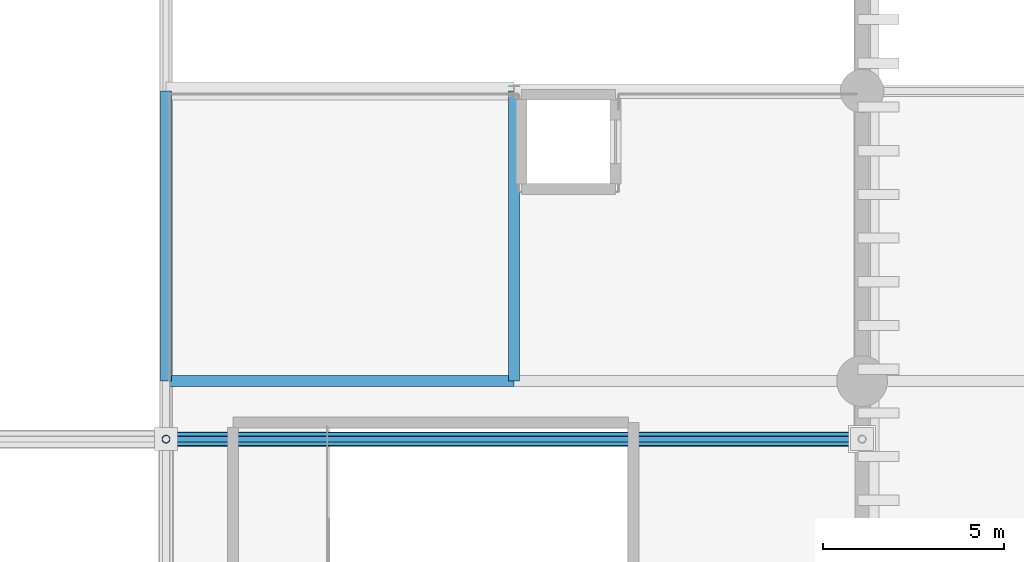
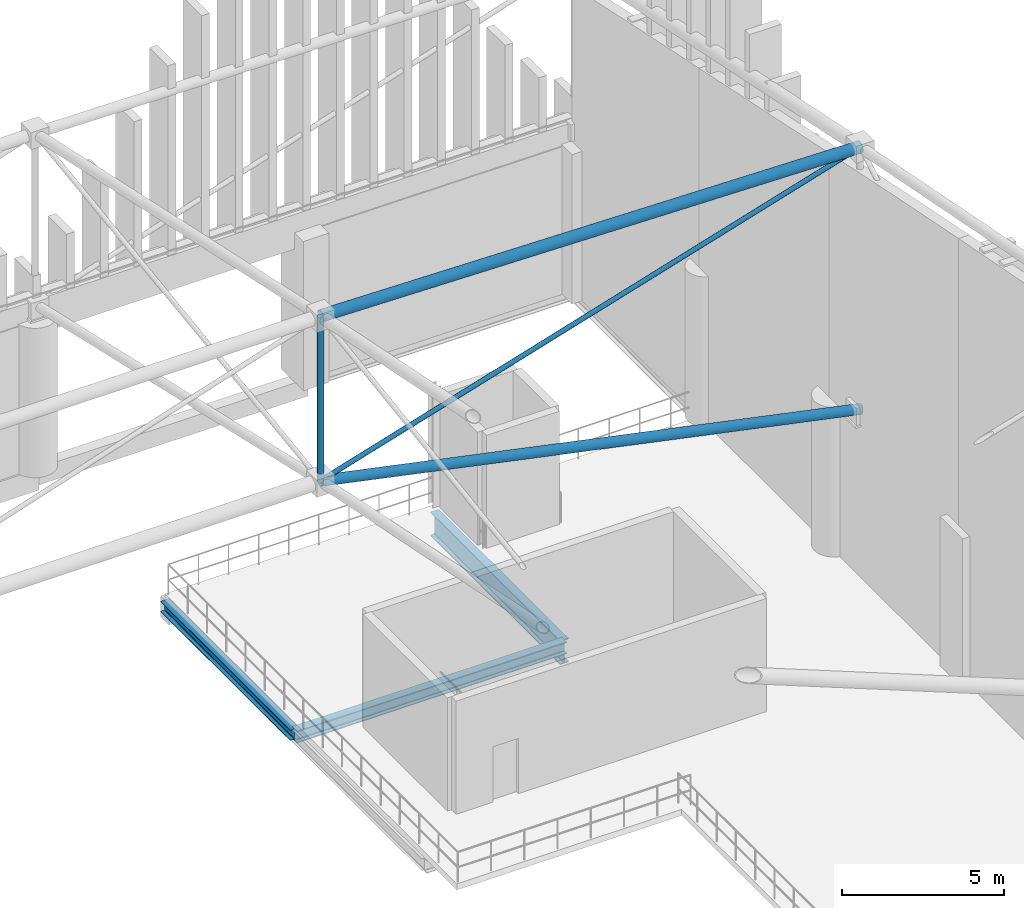
# One storey, part 132 of 193: 4 members, 3 beams.
"""IFC4 building model written with IfcOpenShell, lengths in metres."""

from ifc_helpers import new_model, si_unit, direction, frame, origin, origin_2d, place, context, subcontext, project, spatial, hollow_circle, i_section, extrude, material, material_profile, profile_set, type_object, element, save


model = new_model("IFC4")

# Units and contexts
model_context = context("Model", 3, precision=1e-05, world=origin(), true_north=direction((0.0, 1.0)))
body_context = subcontext(model_context, "Body", "Model", "MODEL_VIEW")
ifc_project = project(units=[si_unit("LENGTHUNIT", "METRE"), si_unit("AREAUNIT", "SQUARE_METRE"), si_unit("VOLUMEUNIT", "CUBIC_METRE"), si_unit("PLANEANGLEUNIT", "RADIAN"), si_unit("MASSUNIT", "GRAM", prefix="KILO")], contexts=[model_context])

# Site, building, storey
site_placement = place(None, origin())
site = spatial("IfcSite", under=ifc_project, at=site_placement, CompositionType="ELEMENT")
building_placement = place(site_placement, origin())
building = spatial("IfcBuilding", under=site, at=building_placement, Name="Danafjord Basin Convention Centre", CompositionType="ELEMENT")
storey_placement = place(building_placement, frame((0.0, 0.0, 11.39990234375)))
storey = spatial("IfcBuildingStorey", under=building, at=storey_placement, Name="L02", CompositionType="ELEMENT", Elevation=11.39990234375)

# Beams
ifc_material = material(Name="Steel S355", Category="steel")
ifc_material_profile_1 = material_profile(ifc_material, i_section(OverallWidth=0.300048828125, OverallDepth=0.449951171875, WebThickness=0.013916015625, FlangeThickness=0.02587890625, FilletRadius=0.027099609375, at=origin_2d()), Name="HEB 450")
ifc_profile_set_1 = profile_set([ifc_material_profile_1], Name="Steel S355")
beam_type_1 = type_object("IfcBeamType", Name="BEAM-BM-HEB450", PredefinedType="BEAM", material=ifc_profile_set_1)
beam_1_placement = place(storey_placement, frame((96.0, 128.0, -0.454833984375), z_axis=(1.0, 0.0, 0.0), x_axis=(0.0, 1.0, 0.0)))
element("IfcBeam", 1, at=beam_1_placement, inside=storey, type_object=beam_type_1, Name="L02 girder BM-HEB450", PredefinedType="BEAM", context=body_context, shape_type="SweptSolid", body=[
    extrude(i_section(OverallWidth=0.300048828125, OverallDepth=0.449951171875, WebThickness=0.013916015625, FlangeThickness=0.02587890625, FilletRadius=0.027099609375, at=origin_2d()), origin(), (0.0, 0.0, 1.0), 9.60009765625),
])
ifc_material_profile_2 = material_profile(ifc_material, i_section(OverallWidth=0.300048828125, OverallDepth=0.89990234375, WebThickness=0.0185546875, FlangeThickness=0.034912109375, FilletRadius=0.030029296875, at=origin_2d()), Name="HEB 900")
ifc_profile_set_2 = profile_set([ifc_material_profile_2], Name="Steel S355")
beam_type_2 = type_object("IfcBeamType", Name="BEAM-BM-HEB900", PredefinedType="BEAM", material=ifc_profile_set_2)
beam_2_placement = place(storey_placement, frame((105.60009765625, 128.0, -0.679931640625), z_axis=(0.0, 1.0, 0.0), x_axis=(-1.0, 0.0, 0.0)))
element("IfcBeam", 2, at=beam_2_placement, inside=storey, type_object=beam_type_2, Name="L02 transverse girder BM-HEB900", PredefinedType="BEAM", context=body_context, shape_type="SweptSolid", body=[
    extrude(i_section(OverallWidth=0.300048828125, OverallDepth=0.89990234375, WebThickness=0.0185546875, FlangeThickness=0.034912109375, FilletRadius=0.030029296875, at=origin_2d()), origin(), (0.0, 0.0, 1.0), 8.0),
])
ifc_material_profile_3 = material_profile(ifc_material, i_section(OverallWidth=0.300048828125, OverallDepth=0.39990234375, WebThickness=0.013427734375, FlangeThickness=0.02392578125, FilletRadius=0.027099609375, at=origin_2d()), Name="HEB 400")
ifc_profile_set_3 = profile_set([ifc_material_profile_3], Name="Steel S355")
beam_type_3 = type_object("IfcBeamType", Name="BEAM-SP-HEB400", PredefinedType="SPANDREL", material=ifc_profile_set_3)
beam_3_placement = place(storey_placement, frame((96.0, 128.0, -0.429931640625), z_axis=(0.0, 1.0, 0.0), x_axis=(-1.0, 0.0, 0.0)))
element("IfcBeam", 3, at=beam_3_placement, inside=storey, type_object=beam_type_3, Name="L02 transverse girder SP-HEB400", PredefinedType="SPANDREL", context=body_context, shape_type="SweptSolid", body=[
    extrude(i_section(OverallWidth=0.300048828125, OverallDepth=0.39990234375, WebThickness=0.013427734375, FlangeThickness=0.02392578125, FilletRadius=0.027099609375, at=origin_2d()), origin(), (0.0, 0.0, 1.0), 8.0),
])

# Members
ifc_material_profile_4 = material_profile(ifc_material, hollow_circle(Radius=0.177734375, WallThickness=0.01611328125, at=origin_2d()), Name="CHS 355.6x16.0")
ifc_profile_set_4 = profile_set([ifc_material_profile_4], Name="Steel S355")
member_type_1 = type_object("IfcMemberType", Name="MEM-CH-CHS355", PredefinedType="CHORD", material=ifc_profile_set_4)
member_1_placement = place(storey_placement, frame((96.0, 126.39990234375, 10.07080078125), z_axis=(0.978768565512, 0.0, -0.204968522379), x_axis=(0.0, 1.0, 0.0)))
element("IfcMember", 4, at=member_1_placement, inside=storey, type_object=member_type_1, Name="V1 roof truss longitudinal bottom chord", PredefinedType="CHORD", context=body_context, shape_type="SweptSolid", body=[
    extrude(hollow_circle(Radius=0.177734375, WallThickness=0.01611328125, at=origin_2d()), origin(), (0.0, 0.0, 1.0), 19.616455078125),
])
ifc_material_profile_5 = material_profile(ifc_material, hollow_circle(Radius=0.203125, WallThickness=0.02001953125, at=origin_2d()), Name="CHS 406.4x20.0")
ifc_profile_set_5 = profile_set([ifc_material_profile_5], Name="Steel S355")
member_type_2 = type_object("IfcMemberType", Name="MEM-CH-CHS406", PredefinedType="CHORD", material=ifc_profile_set_5)
member_2_placement = place(storey_placement, frame((96.0, 126.39990234375, 16.27099609375), z_axis=(0.999824159326, 0.0, -0.018752344583), x_axis=(0.0, 1.0, 0.0)))
element("IfcMember", 5, at=member_2_placement, inside=storey, type_object=member_type_2, Name="V1 roof truss longitudinal top chord", PredefinedType="CHORD", context=body_context, shape_type="SweptSolid", body=[
    extrude(hollow_circle(Radius=0.203125, WallThickness=0.02001953125, at=origin_2d()), origin(), (0.0, 0.0, 1.0), 19.203369140625),
])
ifc_material_profile_6 = material_profile(ifc_material, hollow_circle(Radius=0.109619140625, WallThickness=0.010009765625, at=origin_2d()), Name="CHS 219.1x10.0")
ifc_profile_set_6 = profile_set([ifc_material_profile_6], Name="Steel S355")
member_type_3 = type_object("IfcMemberType", Name="MEM-ST-CHS219", PredefinedType="STRUT", material=ifc_profile_set_6)
member_3_placement = place(storey_placement, frame((96.0, 126.39990234375, 10.07080078125), z_axis=(0.0, 0.0, 1.0), x_axis=(1.0, 0.0, 0.0)))
element("IfcMember", 6, at=member_3_placement, inside=storey, type_object=member_type_3, Name="V1 roof truss vertical strut", PredefinedType="STRUT", context=body_context, shape_type="SweptSolid", body=[
    extrude(hollow_circle(Radius=0.109619140625, WallThickness=0.010009765625, at=origin_2d()), origin(), (0.0, 0.0, 1.0), 6.2001953125),
])
ifc_material_profile_7 = material_profile(ifc_material, hollow_circle(Radius=0.084228515625, WallThickness=0.008056640625, at=origin_2d()), Name="CHS 168.3x8.0")
ifc_profile_set_7 = profile_set([ifc_material_profile_7], Name="Steel S355")
member_type_4 = type_object("IfcMemberType", Name="MEM-WB-CHS168", PredefinedType="MEMBER", material=ifc_profile_set_7)
member_4_placement = place(storey_placement, frame((96.0, 126.39990234375, 10.07080078125), z_axis=(0.956720719428, 0.0, 0.29100767175), x_axis=(0.0, 1.0, 0.0)))
element("IfcMember", 7, at=member_4_placement, inside=storey, type_object=member_type_4, Name="V1 space-frame longitudinal web", PredefinedType="MEMBER", context=body_context, shape_type="SweptSolid", body=[
    extrude(hollow_circle(Radius=0.084228515625, WallThickness=0.008056640625, at=origin_2d()), origin(), (0.0, 0.0, 1.0), 20.068603515625),
])

save(model, "model.ifc")
